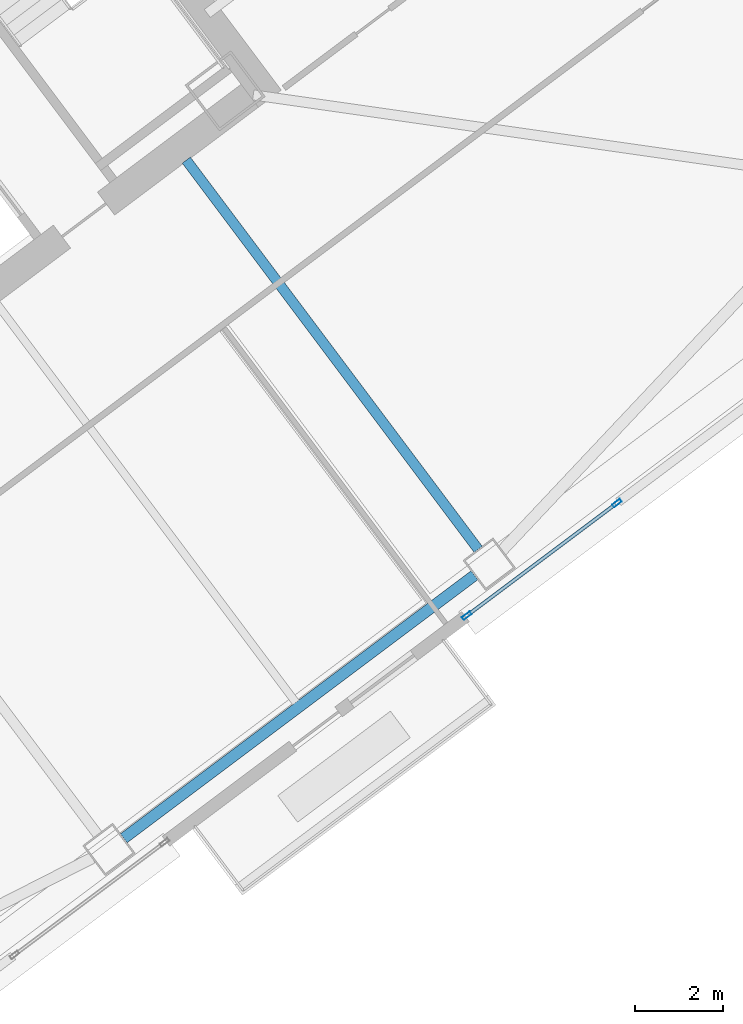
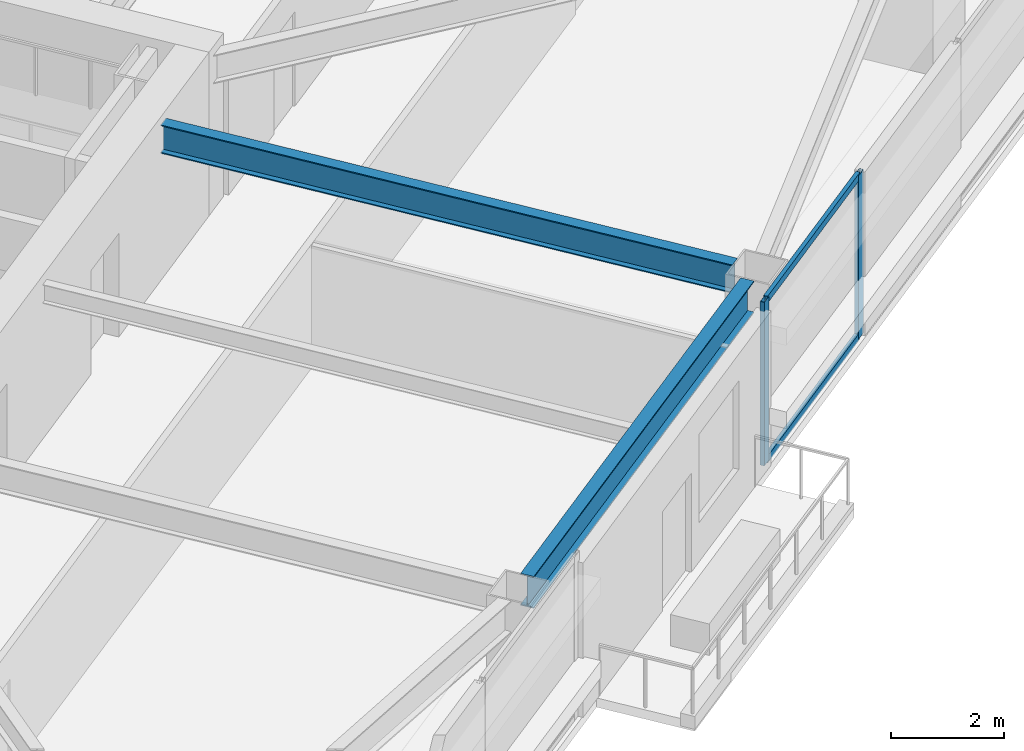
# One storey, part 26 of 47: 4 members, 2 beams, 1 element without a shape of its own.
"""IFC4 building model written with IfcOpenShell, lengths in metres."""

from ifc_helpers import new_model, si_unit, direction, frame, origin, origin_2d, place, context, subcontext, project, spatial, hollow_rectangle, i_section, extrude, material, material_profile, profile_set, type_object, element, aggregate, save


model = new_model("IFC4")

# Units and contexts
model_context = context("Model", 3, precision=1e-05, world=origin(), true_north=direction((0.0, 1.0)))
body_context = subcontext(model_context, "Body", "Model", "MODEL_VIEW")
ifc_project = project(units=[si_unit("LENGTHUNIT", "METRE"), si_unit("AREAUNIT", "SQUARE_METRE"), si_unit("VOLUMEUNIT", "CUBIC_METRE"), si_unit("PLANEANGLEUNIT", "RADIAN"), si_unit("MASSUNIT", "GRAM", prefix="KILO")], contexts=[model_context])

# Site, building, storey
site_placement = place(None, origin())
site = spatial("IfcSite", under=ifc_project, at=site_placement, CompositionType="ELEMENT")
building_placement = place(site_placement, origin())
building = spatial("IfcBuilding", under=site, at=building_placement, Name="Tashvorn Skyway Center", CompositionType="ELEMENT")
storey_placement = place(building_placement, frame((0.0, 0.0, 81.39990234375)))
storey = spatial("IfcBuildingStorey", under=building, at=storey_placement, Name="L21", CompositionType="ELEMENT", Elevation=81.39990234375)

# Beams
ifc_material_1 = material(Name="Steel ASTM A992 Grade 50", Category="steel")
ifc_material_profile_1 = material_profile(ifc_material_1, i_section(OverallWidth=0.22998046875, OverallDepth=0.616943359375, WebThickness=0.01318359375, FlangeThickness=0.022216796875, at=origin_2d()), Name="W24X94")
ifc_profile_set_1 = profile_set([ifc_material_profile_1], Name="Steel ASTM A992 Grade 50")
beam_type_1 = type_object("IfcBeamType", Name="BM-BEAM-W24X94", PredefinedType="BEAM", material=ifc_profile_set_1)
beam_1_placement = place(storey_placement, frame((129.617919921875, 20.176025390625, 3.04150390625), z_axis=(-0.599989394744, 0.800007953832, 0.0), x_axis=(-0.800007953832, -0.599989394744, 0.0)))
element("IfcBeam", 1, at=beam_1_placement, inside=storey, type_object=beam_type_1, Name="Tower 2 L21 Primary Floor Girder FC-S2", PredefinedType="BEAM", context=body_context, shape_type="SweptSolid", body=[
    extrude(i_section(OverallWidth=0.22998046875, OverallDepth=0.616943359375, WebThickness=0.01318359375, FlangeThickness=0.022216796875, at=origin_2d()), origin(), (0.0, 0.0, 1.0), 11.050048828125),
])
ifc_material_profile_2 = material_profile(ifc_material_1, i_section(OverallWidth=0.256103515625, OverallDepth=0.693115234375, WebThickness=0.014404296875, FlangeThickness=0.023681640625, at=origin_2d()), Name="W27X114")
ifc_profile_set_2 = profile_set([ifc_material_profile_2], Name="Steel ASTM A992 Grade 50")
beam_type_2 = type_object("IfcBeamType", Name="BM-SPANDREL-W27X114", PredefinedType="SPANDREL", material=ifc_profile_set_2)
beam_2_placement = place(storey_placement, frame((121.56591796875, 13.612060546875, 3.003662109375), z_axis=(0.800008824351, 0.599988234018, 0.0), x_axis=(-0.599988234018, 0.800008824351, 0.0)))
element("IfcBeam", 2, at=beam_2_placement, inside=storey, type_object=beam_type_2, Name="Tower 2 L21 Spandrel Beam 02", PredefinedType="SPANDREL", context=body_context, shape_type="SweptSolid", body=[
    extrude(i_section(OverallWidth=0.256103515625, OverallDepth=0.693115234375, WebThickness=0.014404296875, FlangeThickness=0.023681640625, at=origin_2d()), origin(), (0.0, 0.0, 1.0), 9.9599609375),
])

# Curtain wall, members
ifc_material_2 = material(Name="Thermally broken bronze-anodized aluminium 6063-T6", Category="aluminium")
curtain_wall_type = type_object("IfcCurtainWallType", Name="CW-CW-Z2", PredefinedType="NOTDEFINED", material=ifc_material_2)
curtain_wall_placement = place(storey_placement, origin())
curtain_wall = element("IfcCurtainWall", 3, at=curtain_wall_placement, inside=storey, type_object=curtain_wall_type, Name="Tower 2 L21 South Curtain Wall L Glazing Group 2", PredefinedType="NOTDEFINED")
ifc_material_profile_3 = material_profile(ifc_material_2, hollow_rectangle(XDim=0.080078125, YDim=0.219970703125, WallThickness=0.0048828125, at=origin_2d()), Name="ALU-MULL-80x220")
ifc_profile_set_3 = profile_set([ifc_material_profile_3], Name="Thermally broken bronze-anodized aluminium 6063-T6")
member_type_1 = type_object("IfcMemberType", Name="CWM-CW-Z2", PredefinedType="MULLION", material=ifc_profile_set_3)
member_1_placement = place(storey_placement, frame((132.770751953125, 21.22802734375, 0.0), z_axis=(0.0, 0.0, 1.0), x_axis=(0.599996316206, -0.800002762832, 0.0)))
member_1 = element("IfcMember", 4, at=member_1_placement, type_object=member_type_1, Name="CW-Z2 mullion 1", PredefinedType="MULLION", context=body_context, shape_type="SweptSolid", body=[
    extrude(hollow_rectangle(XDim=0.080078125, YDim=0.219970703125, WallThickness=0.0048828125, at=origin_2d()), origin(), (0.0, 0.0, 1.0), 3.550048828125),
])
member_2_placement = place(storey_placement, frame((129.360107421875, 18.669921875, 0.0), z_axis=(0.0, 0.0, 1.0), x_axis=(0.599996316206, -0.800002762832, 0.0)))
member_2 = element("IfcMember", 5, at=member_2_placement, type_object=member_type_1, Name="CW-Z2 mullion 2", PredefinedType="MULLION", context=body_context, shape_type="SweptSolid", body=[
    extrude(hollow_rectangle(XDim=0.080078125, YDim=0.219970703125, WallThickness=0.0048828125, at=origin_2d()), origin(), (0.0, 0.0, 1.0), 3.550048828125),
])
ifc_material_profile_4 = material_profile(ifc_material_2, hollow_rectangle(XDim=0.080078125, YDim=0.14990234375, WallThickness=0.00439453125, at=origin_2d()), Name="ALU-TRAN-80x150")
ifc_profile_set_4 = profile_set([ifc_material_profile_4], Name="Thermally broken bronze-anodized aluminium 6063-T6")
member_type_2 = type_object("IfcMemberType", Name="CWT-CW-Z2", PredefinedType="USERDEFINED", material=ifc_profile_set_4)
member_3_placement = place(storey_placement, frame((132.73876953125, 21.2041015625, 0.0400390625), z_axis=(-0.8, -0.6, 0.0), x_axis=(0.6, -0.8, 0.0)))
member_3 = element("IfcMember", 6, at=member_3_placement, type_object=member_type_2, Name="CW-Z2 transom 1.1", ObjectType="TRANSOM", PredefinedType="USERDEFINED", context=body_context, shape_type="SweptSolid", body=[
    extrude(hollow_rectangle(XDim=0.080078125, YDim=0.14990234375, WallThickness=0.00439453125, at=origin_2d()), origin(), (0.0, 0.0, 1.0), 4.183349609375),
])
member_4_placement = place(storey_placement, frame((132.73876953125, 21.2041015625, 3.510009765625), z_axis=(-0.8, -0.6, 0.0), x_axis=(0.6, -0.8, 0.0)))
member_4 = element("IfcMember", 7, at=member_4_placement, type_object=member_type_2, Name="CW-Z2 transom 1.2", ObjectType="TRANSOM", PredefinedType="USERDEFINED", context=body_context, shape_type="SweptSolid", body=[
    extrude(hollow_rectangle(XDim=0.080078125, YDim=0.14990234375, WallThickness=0.00439453125, at=origin_2d()), origin(), (0.0, 0.0, 1.0), 4.183349609375),
])
aggregate(curtain_wall, [member_1, member_2, member_3, member_4])

save(model, "model.ifc")
